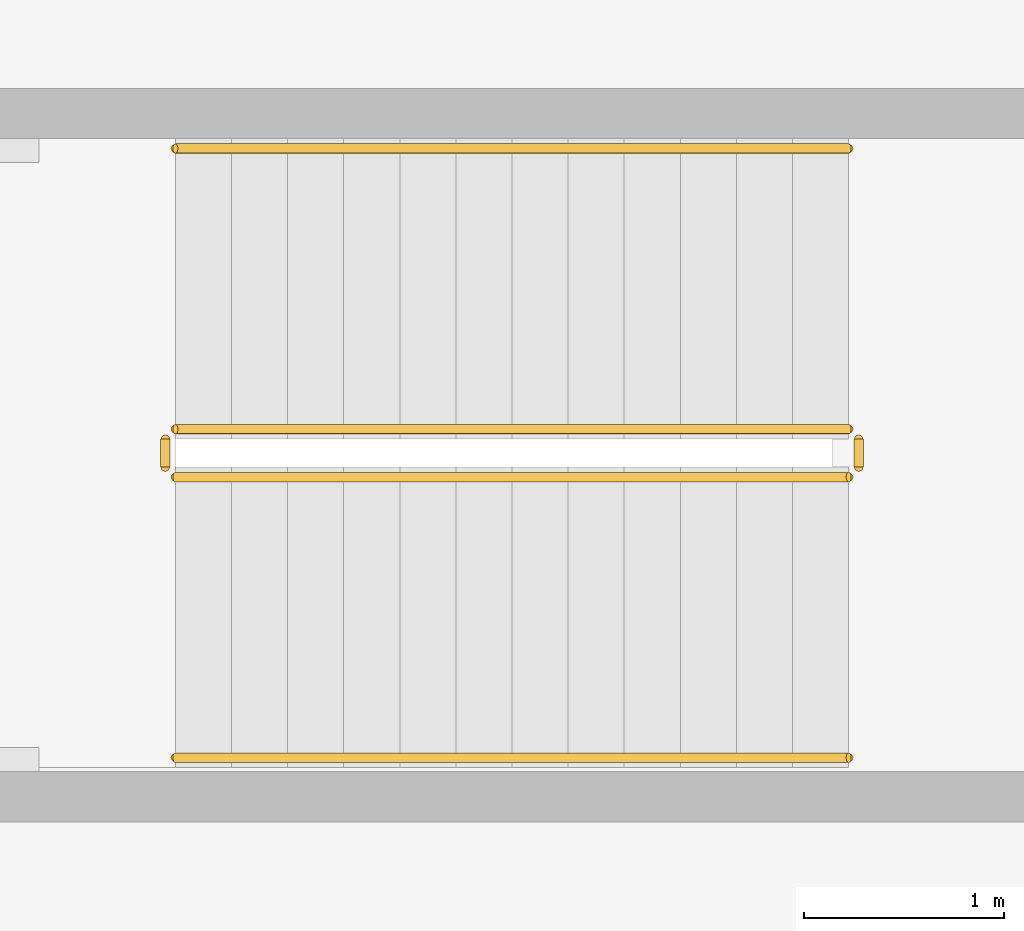
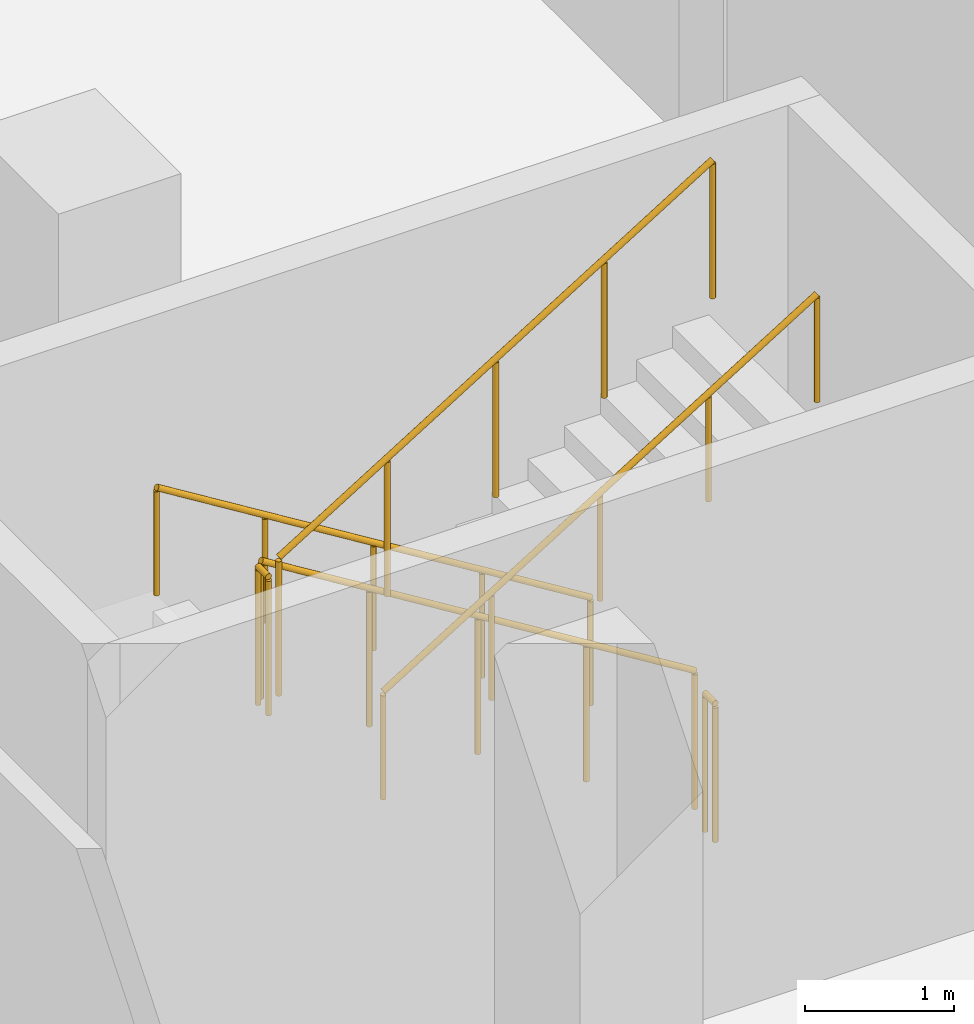
# One storey, part 25 of 31: 6 railings.
"""IFC4 building model written with IfcOpenShell, lengths in metres."""

from ifc_helpers import new_model, si_unit, derived_unit, direction, frame, origin, origin_2d, place, context, subcontext, project, spatial, circle, extrude, material, type_object, element, save


model = new_model("IFC4")

# Units and contexts
model_context = context("Model", 3, precision=1e-05, world=origin(), true_north=direction((0.0, 1.0)))
body_context = subcontext(model_context, "Body", "Model", "MODEL_VIEW")
ifc_project = project(units=[si_unit("LENGTHUNIT", "METRE"), si_unit("AREAUNIT", "SQUARE_METRE"), si_unit("VOLUMEUNIT", "CUBIC_METRE"), si_unit("PLANEANGLEUNIT", "RADIAN"), si_unit("MASSUNIT", "GRAM", prefix="KILO"), derived_unit("THERMALTRANSMITTANCEUNIT", [(si_unit("POWERUNIT", "WATT"), 1), (si_unit("LENGTHUNIT", "METRE"), -2), (si_unit("THERMODYNAMICTEMPERATUREUNIT", "KELVIN"), -1)])], contexts=[model_context])

# Site, building, storey
site_placement = place(None, origin())
site = spatial("IfcSite", under=ifc_project, at=site_placement, CompositionType="ELEMENT")
building_placement = place(site_placement, origin())
building = spatial("IfcBuilding", under=site, at=building_placement, Name="Kivonza Crest Hotel", CompositionType="ELEMENT")
storey_placement = place(building_placement, frame((0.0, 0.0, 15.0)))
storey = spatial("IfcBuildingStorey", under=building, at=storey_placement, Name="L03", CompositionType="ELEMENT", Elevation=15.0)

# Railings
ifc_material_1 = material(Name="Brushed stainless steel handrail", Category="steel")
railing_type_1 = type_object("IfcRailingType", Name="RL-HAND-900", PredefinedType="HANDRAIL", material=ifc_material_1)
railing_1_placement = place(storey_placement, frame((63.840087890625, 26.530029296875, 0.173095703125)))
element("IfcRailing", 1, at=railing_1_placement, inside=storey, type_object=railing_type_1, Name="L03 ST-POD-E stair handrail 1", PredefinedType="HANDRAIL", context=body_context, shape_type="SweptSolid", body=[
    extrude(circle(Radius=0.02392578125, at=origin_2d()), frame((0.0, 0.0, 0.8759765625), z_axis=(-0.850623216509, 0.0, 0.525775754039), x_axis=(0.0, -1.0, 0.0)), (0.0, 0.0, 1.0), 3.9501953125),
    extrude(circle(Radius=0.02099609375, at=origin_2d()), origin(), (0.0, 0.0, 1.0), 0.851806640625),
    extrude(circle(Radius=0.02099609375, at=origin_2d()), frame((-0.840087890625, 0.0, 0.519287109375)), (0.0, 0.0, 1.0), 0.851806640625),
    extrude(circle(Radius=0.02099609375, at=origin_2d()), frame((-1.68017578125, 0.0, 1.03857421875)), (0.0, 0.0, 1.0), 0.851806640625),
    extrude(circle(Radius=0.02099609375, at=origin_2d()), frame((-2.52001953125, 0.0, 1.5576171875)), (0.0, 0.0, 1.0), 0.851806640625),
    extrude(circle(Radius=0.02099609375, at=origin_2d()), frame((-3.360107421875, 0.0, 2.076904296875)), (0.0, 0.0, 1.0), 0.851806640625),
])
railing_2_placement = place(storey_placement, frame((60.47998046875, 23.489990234375, 2.423095703125)))
element("IfcRailing", 2, at=railing_2_placement, inside=storey, type_object=railing_type_1, Name="L03 ST-POD-E stair handrail 2", PredefinedType="HANDRAIL", context=body_context, shape_type="SweptSolid", body=[
    extrude(circle(Radius=0.02392578125, at=origin_2d()), frame((0.0, 0.0, 0.8759765625), z_axis=(0.850623216509, 0.0, 0.525775754039), x_axis=(0.0, 1.0, 0.0)), (0.0, 0.0, 1.0), 3.9501953125),
    extrude(circle(Radius=0.02099609375, at=origin_2d()), origin(), (0.0, 0.0, 1.0), 0.851806640625),
    extrude(circle(Radius=0.02099609375, at=origin_2d()), frame((0.840087890625, 0.0, 0.519287109375)), (0.0, 0.0, 1.0), 0.851806640625),
    extrude(circle(Radius=0.02099609375, at=origin_2d()), frame((1.68017578125, 0.0, 1.03857421875)), (0.0, 0.0, 1.0), 0.851806640625),
    extrude(circle(Radius=0.02099609375, at=origin_2d()), frame((2.52001953125, 0.0, 1.5576171875)), (0.0, 0.0, 1.0), 0.851806640625),
    extrude(circle(Radius=0.02099609375, at=origin_2d()), frame((3.360107421875, 0.0, 2.076904296875)), (0.0, 0.0, 1.0), 0.851806640625),
])
ifc_material_2 = material(Name="Painted steel balustrade", Category="steel")
railing_type_2 = type_object("IfcRailingType", Name="RL-STAIR-1150", PredefinedType="BALUSTRADE", material=ifc_material_2)
railing_3_placement = place(storey_placement, frame((63.840087890625, 25.1298828125, 0.173095703125)))
element("IfcRailing", 3, at=railing_3_placement, inside=storey, type_object=railing_type_2, Name="L03 ST-POD-E stair guard 1", PredefinedType="BALUSTRADE", context=body_context, shape_type="SweptSolid", body=[
    extrude(circle(Radius=0.02392578125, at=origin_2d()), frame((0.0, 0.0, 1.1259765625), z_axis=(-0.850623216509, 0.0, 0.525775754039), x_axis=(0.0, -1.0, 0.0)), (0.0, 0.0, 1.0), 3.9501953125),
    extrude(circle(Radius=0.02099609375, at=origin_2d()), origin(), (0.0, 0.0, 1.0), 1.101806640625),
    extrude(circle(Radius=0.02099609375, at=origin_2d()), frame((-0.840087890625, 0.0, 0.519287109375)), (0.0, 0.0, 1.0), 1.101806640625),
    extrude(circle(Radius=0.02099609375, at=origin_2d()), frame((-1.68017578125, 0.0, 1.03857421875)), (0.0, 0.0, 1.0), 1.101806640625),
    extrude(circle(Radius=0.02099609375, at=origin_2d()), frame((-2.52001953125, 0.0, 1.5576171875)), (0.0, 0.0, 1.0), 1.101806640625),
    extrude(circle(Radius=0.02099609375, at=origin_2d()), frame((-3.360107421875, 0.0, 2.076904296875)), (0.0, 0.0, 1.0), 1.101806640625),
])
railing_4_placement = place(storey_placement, frame((60.429931640625, 25.080078125, 2.25)))
element("IfcRailing", 4, at=railing_4_placement, inside=storey, type_object=railing_type_2, Name="L03 ST-POD-E stair guard 2", PredefinedType="BALUSTRADE", context=body_context, shape_type="SweptSolid", body=[
    extrude(circle(Radius=0.02392578125, at=origin_2d()), frame((0.0, 0.0, 1.1259765625), z_axis=(0.0, -1.0, 0.0), x_axis=(1.0, 0.0, 0.0)), (0.0, 0.0, 1.0), 0.14013671875),
    extrude(circle(Radius=0.02099609375, at=origin_2d()), origin(), (0.0, 0.0, 1.0), 1.101806640625),
    extrude(circle(Radius=0.02099609375, at=origin_2d()), frame((0.0, -0.14013671875, 0.0)), (0.0, 0.0, 1.0), 1.101806640625),
])
railing_5_placement = place(storey_placement, frame((60.47998046875, 24.889892578125, 2.423095703125)))
element("IfcRailing", 5, at=railing_5_placement, inside=storey, type_object=railing_type_2, Name="L03 ST-POD-E stair guard 3", PredefinedType="BALUSTRADE", context=body_context, shape_type="SweptSolid", body=[
    extrude(circle(Radius=0.02392578125, at=origin_2d()), frame((0.0, 0.0, 1.1259765625), z_axis=(0.850623216509, 0.0, 0.525775754039), x_axis=(0.0, 1.0, 0.0)), (0.0, 0.0, 1.0), 3.9501953125),
    extrude(circle(Radius=0.02099609375, at=origin_2d()), origin(), (0.0, 0.0, 1.0), 1.101806640625),
    extrude(circle(Radius=0.02099609375, at=origin_2d()), frame((0.840087890625, 0.0, 0.519287109375)), (0.0, 0.0, 1.0), 1.101806640625),
    extrude(circle(Radius=0.02099609375, at=origin_2d()), frame((1.68017578125, 0.0, 1.03857421875)), (0.0, 0.0, 1.0), 1.101806640625),
    extrude(circle(Radius=0.02099609375, at=origin_2d()), frame((2.52001953125, 0.0, 1.5576171875)), (0.0, 0.0, 1.0), 1.101806640625),
    extrude(circle(Radius=0.02099609375, at=origin_2d()), frame((3.360107421875, 0.0, 2.076904296875)), (0.0, 0.0, 1.0), 1.101806640625),
])
railing_6_placement = place(storey_placement, frame((63.889892578125, 25.080078125, 0.0)))
element("IfcRailing", 6, at=railing_6_placement, inside=storey, type_object=railing_type_2, Name="L03 ST-POD-E stair guard 4", PredefinedType="BALUSTRADE", context=body_context, shape_type="SweptSolid", body=[
    extrude(circle(Radius=0.02392578125, at=origin_2d()), frame((0.0, 0.0, 1.1259765625), z_axis=(0.0, -1.0, 0.0), x_axis=(1.0, 0.0, 0.0)), (0.0, 0.0, 1.0), 0.14013671875),
    extrude(circle(Radius=0.02099609375, at=origin_2d()), origin(), (0.0, 0.0, 1.0), 1.101806640625),
    extrude(circle(Radius=0.02099609375, at=origin_2d()), frame((0.0, -0.14013671875, 0.0)), (0.0, 0.0, 1.0), 1.101806640625),
])

save(model, "model.ifc")
